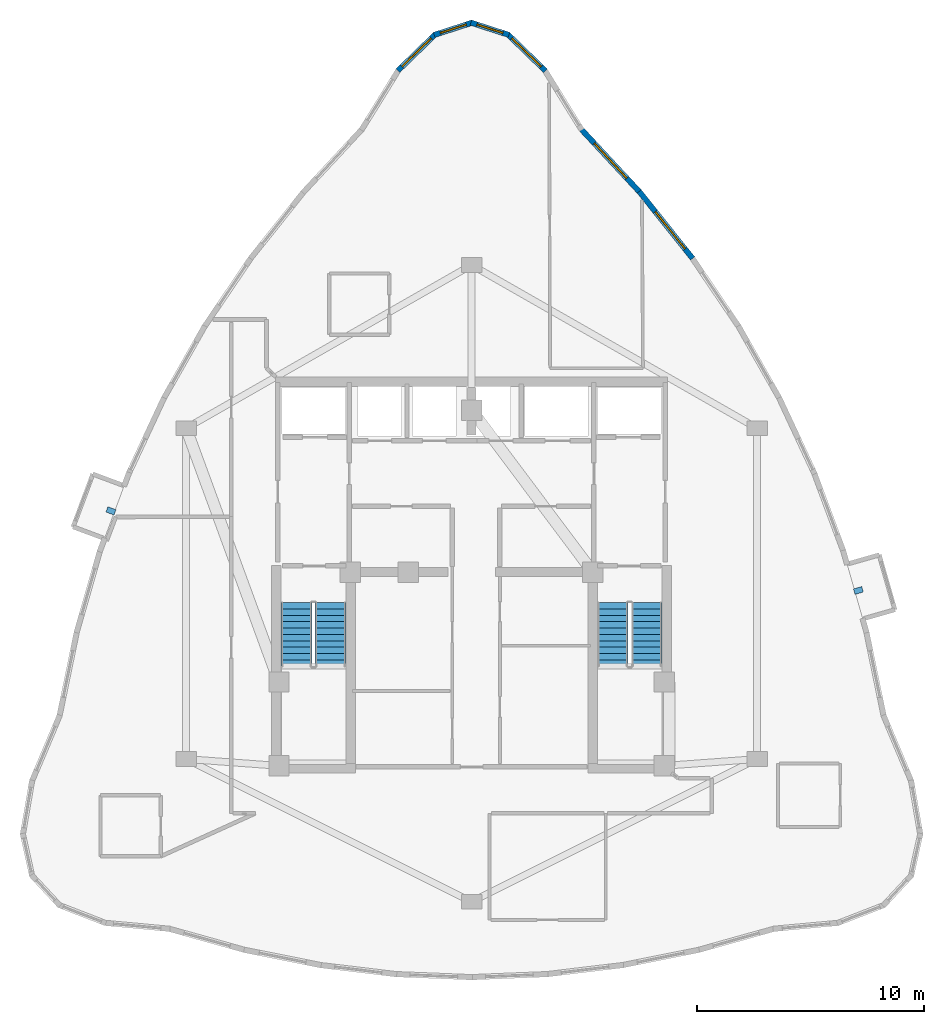
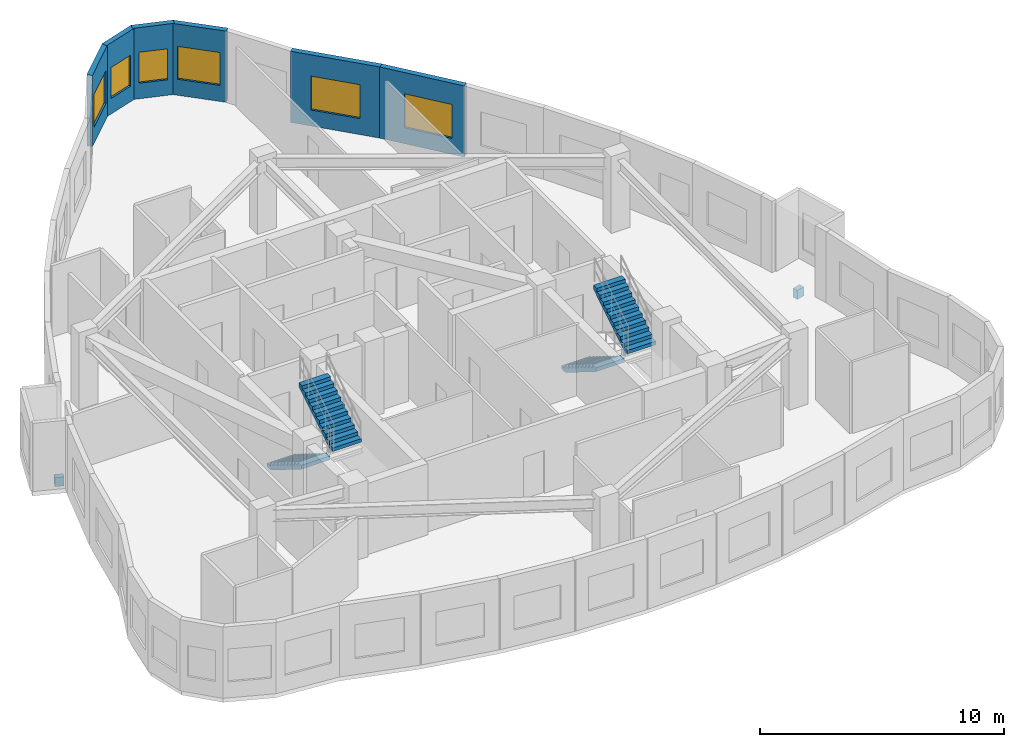
# One storey, part 8 of 9: 6 walls, 6 windows, 4 stair flights, 2 discrete accessories, 6 openings, 2 elements without a shape of their own.
"""IFC4 building model written with IfcOpenShell, lengths in metres."""

from ifc_helpers import new_model, si_unit, direction, frame, frame_2d, origin, origin_2d, place, context, subcontext, project, spatial, polyline, rectangle, outline, extrude, material, layer, layer_set, type_object, element, fill, aggregate, save


model = new_model("IFC4")

# Units and contexts
model_context = context("Model", 3, precision=1e-05, world=origin(), true_north=direction((0.0, 1.0)))
body_context = subcontext(model_context, "Body", "Model", "MODEL_VIEW")
ifc_project = project(units=[si_unit("LENGTHUNIT", "METRE"), si_unit("AREAUNIT", "SQUARE_METRE"), si_unit("VOLUMEUNIT", "CUBIC_METRE"), si_unit("PLANEANGLEUNIT", "RADIAN"), si_unit("MASSUNIT", "GRAM", prefix="KILO")], contexts=[model_context])

# Site, building, storey
site_placement = place(None, origin())
site = spatial("IfcSite", under=ifc_project, at=site_placement, CompositionType="ELEMENT")
building_placement = place(site_placement, origin())
building = spatial("IfcBuilding", under=site, at=building_placement, Name="Miruveldt Soraemaru", CompositionType="ELEMENT")
storey_placement = place(building_placement, frame((0.0, 0.0, 267.39990234375)))
storey = spatial("IfcBuildingStorey", under=building, at=storey_placement, Name="L73", CompositionType="ELEMENT", Elevation=267.39990234375)

# Wall, opening, window
ifc_material_1 = material(Name="Precast concrete C45/55 (45 MPa)", Category="concrete")
ifc_layer = layer(ifc_material_1, 0.239990234375, Name="Precast concrete C45/55 (45 MPa)", Category="concrete")
ifc_layer_set = layer_set([ifc_layer], Name="Precast concrete C45/55 (45 MPa)")
wall_type = type_object("IfcWallType", Name="WALL-EXT-PC240", PredefinedType="SOLIDWALL", material=ifc_layer_set)
wall_1_placement = place(storey_placement, frame((47.25634765625, 66.177001953125, 0.0), z_axis=(0.0, 0.0, 1.0), x_axis=(-0.717755402932, 0.696295326397, 0.0)))
wall_1 = element("IfcWall", 1, at=wall_1_placement, inside=storey, type_object=wall_type, Name="L73 Precast Concrete Facade Wall 2", PredefinedType="SOLIDWALL", context=body_context, shape_type="SweptSolid", body=[
    extrude(rectangle(XDim=2.32080078125, YDim=0.239990234375, at=frame_2d((1.160400390625, 0.0))), origin(), (0.0, 0.0, 1.0), 3.565185546875),
])
opening_1_placement = place(wall_1_placement, frame((0.260986328125, 0.0, 0.800048828125)))
opening_1 = element("IfcOpeningElement", 2, at=opening_1_placement, cuts=wall_1, Name="Opening WN-2", PredefinedType="OPENING", context=body_context, shape_type="SweptSolid", body=[
    extrude(rectangle(XDim=1.800048828125, YDim=1.64990234375, at=frame_2d((0.89990234375, 0.824951171875))), frame((0.0, 0.1298828125, 0.0), z_axis=(0.0, -1.0, 0.0), x_axis=(1.0, 0.0, 0.0)), (0.0, 0.0, 1.0), 0.260009765625),
])
ifc_material_2 = material(Name="Triple low-e insulated glazing", Category="glass")
window_type_1 = type_object("IfcWindowType", Name="WIN-PUNCH-1800x1650", PartitioningType="SINGLE_PANEL", PredefinedType="WINDOW", material=ifc_material_2)
window_1_placement = place(opening_1_placement, origin())
window_1 = element("IfcWindow", 3, at=window_1_placement, inside=storey, type_object=window_type_1, Name="L73 Punched Triple-Glazed Window 02.1", OverallHeight=1.64990234375, OverallWidth=1.800048828125, PartitioningType="SINGLE_PANEL", PredefinedType="WINDOW", context=body_context, shape_type="SweptSolid", body=[
    extrude(rectangle(XDim=1.800048828125, YDim=1.64990234375, at=frame_2d((0.89990234375, 0.824951171875))), frame((0.0, 0.030029296875, 0.0), z_axis=(0.0, -1.0, 0.0), x_axis=(1.0, 0.0, 0.0)), (0.0, 0.0, 1.0), 0.06005859375),
])
fill(opening_1, window_1)

wall_2_placement = place(storey_placement, frame((45.64892578125, 67.7578125, 0.0), z_axis=(0.0, 0.0, 1.0), x_axis=(-0.951530133741, 0.307555530891, 0.0)))
wall_2 = element("IfcWall", 4, at=wall_2_placement, inside=storey, type_object=wall_type, Name="L73 Precast Concrete Facade Wall 3", PredefinedType="SOLIDWALL", context=body_context, shape_type="SweptSolid", body=[
    extrude(rectangle(XDim=1.767822265625, YDim=0.239990234375, at=frame_2d((0.8837890625, 0.0))), origin(), (0.0, 0.0, 1.0), 3.565185546875),
])
opening_2_placement = place(wall_2_placement, frame((0.283935546875, 0.0, 0.780029296875)))
opening_2 = element("IfcOpeningElement", 5, at=opening_2_placement, cuts=wall_2, Name="Opening WN-4", PredefinedType="OPENING", context=body_context, shape_type="SweptSolid", body=[
    extrude(rectangle(XDim=1.199951171875, YDim=1.550048828125, at=frame_2d((0.60009765625, 0.77490234375))), frame((0.0, 0.1298828125, 0.0), z_axis=(0.0, -1.0, 0.0), x_axis=(1.0, 0.0, 0.0)), (0.0, 0.0, 1.0), 0.260009765625),
])
window_type_2 = type_object("IfcWindowType", Name="WIN-PUNCH-1200x1550", PartitioningType="SINGLE_PANEL", PredefinedType="WINDOW", material=ifc_material_2)
window_2_placement = place(opening_2_placement, origin())
window_2 = element("IfcWindow", 6, at=window_2_placement, inside=storey, type_object=window_type_2, Name="L73 Punched Triple-Glazed Window 03.1", OverallHeight=1.550048828125, OverallWidth=1.199951171875, PartitioningType="SINGLE_PANEL", PredefinedType="WINDOW", context=body_context, shape_type="SweptSolid", body=[
    extrude(rectangle(XDim=1.199951171875, YDim=1.550048828125, at=frame_2d((0.60009765625, 0.77490234375))), frame((0.0, 0.030029296875, 0.0), z_axis=(0.0, -1.0, 0.0), x_axis=(1.0, 0.0, 0.0)), (0.0, 0.0, 1.0), 0.06005859375),
])
fill(opening_2, window_2)

wall_3_placement = place(storey_placement, frame((44.033203125, 68.301513671875, 0.0), z_axis=(0.0, 0.0, 1.0), x_axis=(-0.951530133741, -0.307555530891, 0.0)))
wall_3 = element("IfcWall", 7, at=wall_3_placement, inside=storey, type_object=wall_type, Name="L73 Precast Concrete Facade Wall 4", PredefinedType="SOLIDWALL", context=body_context, shape_type="SweptSolid", body=[
    extrude(rectangle(XDim=1.767822265625, YDim=0.239990234375, at=frame_2d((0.8837890625, 0.0))), origin(), (0.0, 0.0, 1.0), 3.565185546875),
])
opening_3_placement = place(wall_3_placement, frame((0.283935546875, 0.0, 0.780029296875)))
opening_3 = element("IfcOpeningElement", 8, at=opening_3_placement, cuts=wall_3, Name="Opening WN-4", PredefinedType="OPENING", context=body_context, shape_type="SweptSolid", body=[
    extrude(rectangle(XDim=1.199951171875, YDim=1.550048828125, at=frame_2d((0.60009765625, 0.77490234375))), frame((0.0, 0.1298828125, 0.0), z_axis=(0.0, -1.0, 0.0), x_axis=(1.0, 0.0, 0.0)), (0.0, 0.0, 1.0), 0.260009765625),
])
window_3_placement = place(opening_3_placement, origin())
window_3 = element("IfcWindow", 9, at=window_3_placement, inside=storey, type_object=window_type_2, Name="L73 Punched Triple-Glazed Window 04.1", OverallHeight=1.550048828125, OverallWidth=1.199951171875, PartitioningType="SINGLE_PANEL", PredefinedType="WINDOW", context=body_context, shape_type="SweptSolid", body=[
    extrude(rectangle(XDim=1.199951171875, YDim=1.550048828125, at=frame_2d((0.60009765625, 0.77490234375))), frame((0.0, 0.030029296875, 0.0), z_axis=(0.0, -1.0, 0.0), x_axis=(1.0, 0.0, 0.0)), (0.0, 0.0, 1.0), 0.06005859375),
])
fill(opening_3, window_3)

wall_4_placement = place(storey_placement, frame((42.409423828125, 67.79296875, 0.0), z_axis=(0.0, 0.0, 1.0), x_axis=(-0.717755402932, -0.696295326397, 0.0)))
wall_4 = element("IfcWall", 10, at=wall_4_placement, inside=storey, type_object=wall_type, Name="L73 Precast Concrete Facade Wall 5", PredefinedType="SOLIDWALL", context=body_context, shape_type="SweptSolid", body=[
    extrude(rectangle(XDim=2.32080078125, YDim=0.239990234375, at=frame_2d((1.160400390625, 0.0))), origin(), (0.0, 0.0, 1.0), 3.565185546875),
])
opening_4_placement = place(wall_4_placement, frame((0.260986328125, 0.0, 0.800048828125)))
opening_4 = element("IfcOpeningElement", 11, at=opening_4_placement, cuts=wall_4, Name="Opening WN-2", PredefinedType="OPENING", context=body_context, shape_type="SweptSolid", body=[
    extrude(rectangle(XDim=1.800048828125, YDim=1.64990234375, at=frame_2d((0.89990234375, 0.824951171875))), frame((0.0, 0.1298828125, 0.0), z_axis=(0.0, -1.0, 0.0), x_axis=(1.0, 0.0, 0.0)), (0.0, 0.0, 1.0), 0.260009765625),
])
window_4_placement = place(opening_4_placement, origin())
window_4 = element("IfcWindow", 12, at=window_4_placement, inside=storey, type_object=window_type_1, Name="L73 Punched Triple-Glazed Window 05.1", OverallHeight=1.64990234375, OverallWidth=1.800048828125, PartitioningType="SINGLE_PANEL", PredefinedType="WINDOW", context=body_context, shape_type="SweptSolid", body=[
    extrude(rectangle(XDim=1.800048828125, YDim=1.64990234375, at=frame_2d((0.89990234375, 0.824951171875))), frame((0.0, 0.030029296875, 0.0), z_axis=(0.0, -1.0, 0.0), x_axis=(1.0, 0.0, 0.0)), (0.0, 0.0, 1.0), 0.06005859375),
])
fill(opening_4, window_4)

wall_5_placement = place(storey_placement, frame((53.75732421875, 57.89208984375, 0.0), z_axis=(0.0, 0.0, 1.0), x_axis=(-0.623631731432, 0.781718276332, 0.0)))
wall_5 = element("IfcWall", 13, at=wall_5_placement, inside=storey, type_object=wall_type, Name="L73 Precast Concrete Facade Wall 41", PredefinedType="SOLIDWALL", context=body_context, shape_type="SweptSolid", body=[
    extrude(rectangle(XDim=3.7822265625, YDim=0.239990234375, at=frame_2d((1.89111328125, 0.0))), origin(), (0.0, 0.0, 1.0), 3.565185546875),
])
opening_5_placement = place(wall_5_placement, frame((0.5400390625, 0.0, 0.800048828125)))
opening_5 = element("IfcOpeningElement", 14, at=opening_5_placement, cuts=wall_5, Name="Opening WN-1", PredefinedType="OPENING", context=body_context, shape_type="SweptSolid", body=[
    extrude(rectangle(XDim=2.10009765625, YDim=1.699951171875, at=frame_2d((1.050048828125, 0.85009765625))), frame((0.0, 0.1298828125, 0.0), z_axis=(0.0, -1.0, 0.0), x_axis=(1.0, 0.0, 0.0)), (0.0, 0.0, 1.0), 0.260009765625),
])
window_type_3 = type_object("IfcWindowType", Name="WIN-PUNCH-2100x1700", PartitioningType="SINGLE_PANEL", PredefinedType="WINDOW", material=ifc_material_2)
window_5_placement = place(opening_5_placement, origin())
window_5 = element("IfcWindow", 15, at=window_5_placement, inside=storey, type_object=window_type_3, Name="L73 Punched Triple-Glazed Window 41.1", OverallHeight=1.699951171875, OverallWidth=2.10009765625, PartitioningType="SINGLE_PANEL", PredefinedType="WINDOW", context=body_context, shape_type="SweptSolid", body=[
    extrude(rectangle(XDim=2.10009765625, YDim=1.699951171875, at=frame_2d((1.050048828125, 0.85009765625))), frame((0.0, 0.030029296875, 0.0), z_axis=(0.0, -1.0, 0.0), x_axis=(1.0, 0.0, 0.0)), (0.0, 0.0, 1.0), 0.06005859375),
])
fill(opening_5, window_5)

wall_6_placement = place(storey_placement, frame((51.4443359375, 60.795654296875, 0.0), z_axis=(0.0, 0.0, 1.0), x_axis=(-0.680891235859, 0.732384547168, 0.0)))
wall_6 = element("IfcWall", 16, at=wall_6_placement, inside=storey, type_object=wall_type, Name="L73 Precast Concrete Facade Wall 42", PredefinedType="SOLIDWALL", context=body_context, shape_type="SweptSolid", body=[
    extrude(rectangle(XDim=3.849853515625, YDim=0.239990234375, at=frame_2d((1.9248046875, 0.0))), origin(), (0.0, 0.0, 1.0), 3.565185546875),
])
opening_6_placement = place(wall_6_placement, frame((0.875, 0.0, 0.800048828125)))
opening_6 = element("IfcOpeningElement", 17, at=opening_6_placement, cuts=wall_6, Name="Opening WN-1", PredefinedType="OPENING", context=body_context, shape_type="SweptSolid", body=[
    extrude(rectangle(XDim=2.10009765625, YDim=1.699951171875, at=frame_2d((1.050048828125, 0.85009765625))), frame((0.0, 0.1298828125, 0.0), z_axis=(0.0, -1.0, 0.0), x_axis=(1.0, 0.0, 0.0)), (0.0, 0.0, 1.0), 0.260009765625),
])
window_6_placement = place(opening_6_placement, origin())
window_6 = element("IfcWindow", 18, at=window_6_placement, inside=storey, type_object=window_type_3, Name="L73 Punched Triple-Glazed Window 42.1", OverallHeight=1.699951171875, OverallWidth=2.10009765625, PartitioningType="SINGLE_PANEL", PredefinedType="WINDOW", context=body_context, shape_type="SweptSolid", body=[
    extrude(rectangle(XDim=2.10009765625, YDim=1.699951171875, at=frame_2d((1.050048828125, 0.85009765625))), frame((0.0, 0.030029296875, 0.0), z_axis=(0.0, -1.0, 0.0), x_axis=(1.0, 0.0, 0.0)), (0.0, 0.0, 1.0), 0.06005859375),
])
fill(opening_6, window_6)

# Stair, stair flights
ifc_material_3 = material(Name="Concrete C40/50 (40 MPa)", Category="concrete")
stair_type = type_object("IfcStairType", Name="STAIR-DL-385", PredefinedType="HALF_TURN_STAIR", material=ifc_material_3)
stair_1_placement = place(storey_placement, origin())
stair_1 = element("IfcStair", 19, at=stair_1_placement, inside=storey, type_object=stair_type, Name="L73 Protected Exit Stair ST-1", PredefinedType="HALF_TURN_STAIR")
stair_flight_type = type_object("IfcStairFlightType", Name="SFL-DL-385", PredefinedType="STRAIGHT", material=ifc_material_3)
stair_flight_1_placement = place(storey_placement, frame((36.27490234375, 42.699951171875, 0.0), z_axis=(0.0, 0.0, 1.0), x_axis=(0.0, -1.0, 0.0)))
stair_flight_1 = element("IfcStairFlight", 20, at=stair_flight_1_placement, type_object=stair_flight_type, Name="ST-1 flight 1", NumberOfRisers=11, NumberOfTreads=10, PredefinedType="STRAIGHT", RiserHeight=0.175, TreadLength=0.28, context=body_context, shape_type="SweptSolid", body=[
    extrude(outline(polyline([(0.0, 0.0), (0.0, 0.175048828125), (0.280029296875, 0.175048828125), (0.280029296875, 0.35009765625), (0.56005859375, 0.35009765625), (0.56005859375, 0.52490234375), (0.840087890625, 0.52490234375), (0.840087890625, 0.699951171875), (1.1201171875, 0.699951171875), (1.1201171875, 0.875), (1.39990234375, 0.875), (1.39990234375, 1.050048828125), (1.679931640625, 1.050048828125), (1.679931640625, 1.22509765625), (1.9599609375, 1.22509765625), (1.9599609375, 1.39990234375), (2.239990234375, 1.39990234375), (2.239990234375, 1.574951171875), (2.52001953125, 1.574951171875), (2.52001953125, 1.75), (2.800048828125, 1.75), (2.800048828125, 1.925048828125), (2.800048828125, 1.5615234375), (0.3017578125, 0.0), (0.0, 0.0)])), frame((0.0, 0.675048828125, 0.0), z_axis=(0.0, -1.0, 0.0), x_axis=(1.0, 0.0, 0.0)), (0.0, 0.0, 1.0), 1.35009765625),
])
stair_flight_2_placement = place(storey_placement, frame((37.77490234375, 39.89990234375, 1.925048828125), z_axis=(0.0, 0.0, 1.0), x_axis=(0.0, 1.0, 0.0)))
stair_flight_2 = element("IfcStairFlight", 21, at=stair_flight_2_placement, type_object=stair_flight_type, Name="ST-1 flight 2", NumberOfRisers=11, NumberOfTreads=10, PredefinedType="STRAIGHT", RiserHeight=0.175, TreadLength=0.28, context=body_context, shape_type="SweptSolid", body=[
    extrude(outline(polyline([(0.0, 0.0), (0.0, 0.175048828125), (0.280029296875, 0.175048828125), (0.280029296875, 0.35009765625), (0.56005859375, 0.35009765625), (0.56005859375, 0.52490234375), (0.840087890625, 0.52490234375), (0.840087890625, 0.699951171875), (1.1201171875, 0.699951171875), (1.1201171875, 0.875), (1.39990234375, 0.875), (1.39990234375, 1.050048828125), (1.679931640625, 1.050048828125), (1.679931640625, 1.22509765625), (1.9599609375, 1.22509765625), (1.9599609375, 1.39990234375), (2.239990234375, 1.39990234375), (2.239990234375, 1.574951171875), (2.52001953125, 1.574951171875), (2.52001953125, 1.75), (2.800048828125, 1.75), (2.800048828125, 1.925048828125), (2.800048828125, 1.5615234375), (0.3017578125, 0.0), (0.0, 0.0)])), frame((0.0, 0.675048828125, 0.0), z_axis=(0.0, -1.0, 0.0), x_axis=(1.0, 0.0, 0.0)), (0.0, 0.0, 1.0), 1.35009765625),
])
aggregate(stair_1, [stair_flight_1, stair_flight_2])

stair_2_placement = place(storey_placement, origin())
stair_2 = element("IfcStair", 22, at=stair_2_placement, inside=storey, type_object=stair_type, Name="L73 Protected Exit Stair ST-2", PredefinedType="HALF_TURN_STAIR")
stair_flight_3_placement = place(storey_placement, frame((50.22509765625, 42.699951171875, 0.0), z_axis=(0.0, 0.0, 1.0), x_axis=(0.0, -1.0, 0.0)))
stair_flight_3 = element("IfcStairFlight", 23, at=stair_flight_3_placement, type_object=stair_flight_type, Name="ST-2 flight 1", NumberOfRisers=11, NumberOfTreads=10, PredefinedType="STRAIGHT", RiserHeight=0.175, TreadLength=0.28, context=body_context, shape_type="SweptSolid", body=[
    extrude(outline(polyline([(0.0, 0.0), (0.0, 0.175048828125), (0.280029296875, 0.175048828125), (0.280029296875, 0.35009765625), (0.56005859375, 0.35009765625), (0.56005859375, 0.52490234375), (0.840087890625, 0.52490234375), (0.840087890625, 0.699951171875), (1.1201171875, 0.699951171875), (1.1201171875, 0.875), (1.39990234375, 0.875), (1.39990234375, 1.050048828125), (1.679931640625, 1.050048828125), (1.679931640625, 1.22509765625), (1.9599609375, 1.22509765625), (1.9599609375, 1.39990234375), (2.239990234375, 1.39990234375), (2.239990234375, 1.574951171875), (2.52001953125, 1.574951171875), (2.52001953125, 1.75), (2.800048828125, 1.75), (2.800048828125, 1.925048828125), (2.800048828125, 1.5615234375), (0.3017578125, 0.0), (0.0, 0.0)])), frame((0.0, 0.675048828125, 0.0), z_axis=(0.0, -1.0, 0.0), x_axis=(1.0, 0.0, 0.0)), (0.0, 0.0, 1.0), 1.35009765625),
])
stair_flight_4_placement = place(storey_placement, frame((51.72509765625, 39.89990234375, 1.925048828125), z_axis=(0.0, 0.0, 1.0), x_axis=(0.0, 1.0, 0.0)))
stair_flight_4 = element("IfcStairFlight", 24, at=stair_flight_4_placement, type_object=stair_flight_type, Name="ST-2 flight 2", NumberOfRisers=11, NumberOfTreads=10, PredefinedType="STRAIGHT", RiserHeight=0.175, TreadLength=0.28, context=body_context, shape_type="SweptSolid", body=[
    extrude(outline(polyline([(0.0, 0.0), (0.0, 0.175048828125), (0.280029296875, 0.175048828125), (0.280029296875, 0.35009765625), (0.56005859375, 0.35009765625), (0.56005859375, 0.52490234375), (0.840087890625, 0.52490234375), (0.840087890625, 0.699951171875), (1.1201171875, 0.699951171875), (1.1201171875, 0.875), (1.39990234375, 0.875), (1.39990234375, 1.050048828125), (1.679931640625, 1.050048828125), (1.679931640625, 1.22509765625), (1.9599609375, 1.22509765625), (1.9599609375, 1.39990234375), (2.239990234375, 1.39990234375), (2.239990234375, 1.574951171875), (2.52001953125, 1.574951171875), (2.52001953125, 1.75), (2.800048828125, 1.75), (2.800048828125, 1.925048828125), (2.800048828125, 1.5615234375), (0.3017578125, 0.0), (0.0, 0.0)])), frame((0.0, 0.675048828125, 0.0), z_axis=(0.0, -1.0, 0.0), x_axis=(1.0, 0.0, 0.0)), (0.0, 0.0, 1.0), 1.35009765625),
])
aggregate(stair_2, [stair_flight_3, stair_flight_4])

# Discrete accessories
ifc_material_4 = material(Name="Steel SM355 (355 MPa)", Category="steel")
discrete_accessory_type = type_object("IfcDiscreteAccessoryType", Name="ACC-BAY-BRK", PredefinedType="BRACKET", material=ifc_material_4)
for number, where, z_axis, x_axis, name in (
    (25, (28.0830078125, 46.751220703125, -0.72998046875), (0.0, 0.0, 1.0), (-0.93711153314, 0.349030048069, 0.0), "L73 Bay Window Cantilever Bracket 1"),
    (26, (61.071044921875, 43.2373046875, -0.72998046875), (0.0, 0.0, 1.0), (0.961453892845, 0.274966201438, 0.0), "L73 Bay Window Cantilever Bracket 2"),
):
    element("IfcDiscreteAccessory", number, at=place(storey_placement, frame(where, z_axis=z_axis, x_axis=x_axis)), inside=storey, type_object=discrete_accessory_type, Name=name, PredefinedType="BRACKET", context=body_context, shape_type="SweptSolid", body=[
        extrude(rectangle(XDim=0.3798828125, YDim=0.25, at=origin_2d()), origin(), (0.0, 0.0, 1.0), 0.449951171875),
    ])

save(model, "model.ifc")
